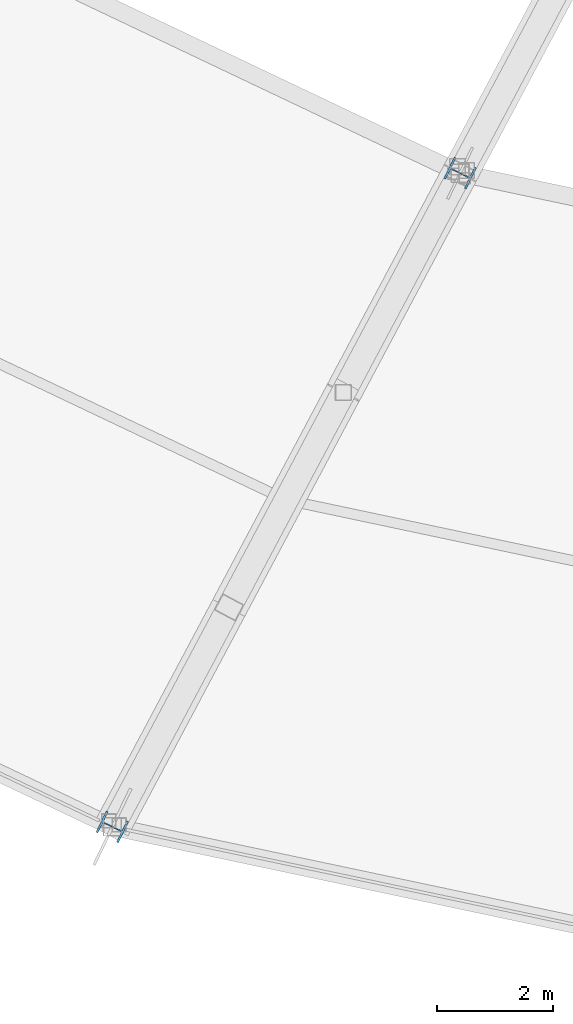
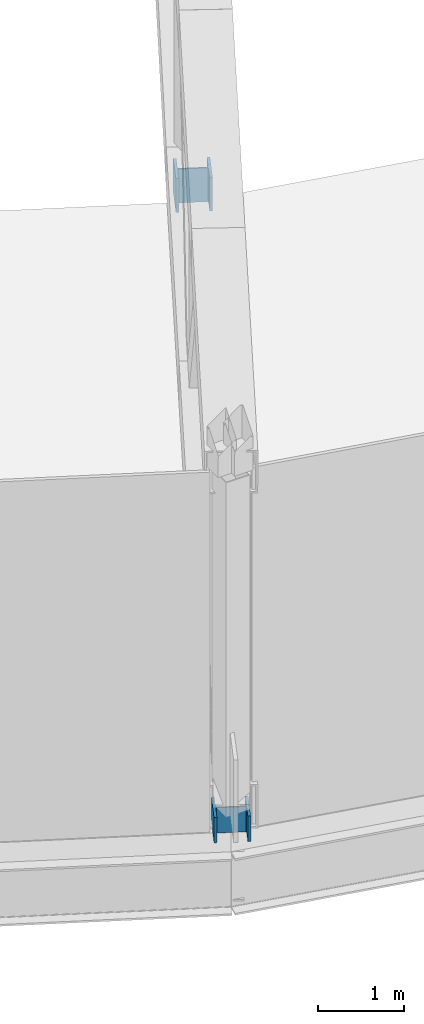
# One storey, part 5 of 162: 2 columns.
"""IFC4 building model written with IfcOpenShell, lengths in metres."""

import ifcopenshell
import ifcopenshell.guid

model = None  # the IFC model being written
_history = None  # IfcOwnerHistory: only IFC2X3 demands one
_inside = {}  # id of a spatial element -> (the spatial element, [elements in it])
_under = {}  # id of a project, library or spatial element -> (it, [spatial elements below it])
_declared = {}  # id of a project -> (the project, [libraries it declares])
_typed = {}  # id of a type object -> (the type object, [elements of that type])
_made_of = {}  # id of a material, layer set ... -> (it, [elements and type objects made of it])


def new_model(schema):
    """Start an empty IFC model of exactly this schema.

    Asked for "IFC4X3", IfcOpenShell would pick the latest addendum, in which some entities
    have other attributes; the version numbers below select the first issue.
    IFC2X3 requires an IfcOwnerHistory on every rooted entity: one is made here for all.
    """
    global model, _history
    if schema == "IFC4X3":
        model = ifcopenshell.file(schema_version=(4, 3, 0, 0))
    else:
        model = ifcopenshell.file(schema=schema)
    _inside.clear()
    _under.clear()
    _declared.clear()
    _typed.clear()
    _made_of.clear()
    _history = None
    if model.schema == "IFC2X3":
        org = make("IfcOrganization", Name="unknown")
        user = make(
            "IfcPersonAndOrganization",
            ThePerson=make("IfcPerson", FamilyName="unknown"),
            TheOrganization=org,
        )
        app = make(
            "IfcApplication",
            ApplicationDeveloper=org,
            Version="unknown",
            ApplicationFullName="unknown",
            ApplicationIdentifier="unknown",
        )
        _history = make(
            "IfcOwnerHistory",
            OwningUser=user,
            OwningApplication=app,
            ChangeAction="ADDED",
            CreationDate=0,
        )
    return model


def make(cls, **values):
    """One entity of the class cls with the attributes given. An attribute that is None is left unset."""
    return model.create_entity(
        cls, **{name: value for name, value in values.items() if value is not None}
    )


def rooted(cls, **values):
    """An entity with a GlobalId (a new one), such as an element, a storey or a relation."""
    return make(cls, GlobalId=ifcopenshell.guid.new(), OwnerHistory=_history, **values)


def si_unit(unit_type, name, prefix=None):
    """IfcSIUnit, for example si_unit("LENGTHUNIT", "METRE", prefix="MILLI")."""
    return make("IfcSIUnit", UnitType=unit_type, Prefix=prefix, Name=name)


def assignment(units):
    """IfcUnitAssignment: the units of a project."""
    return None if units is None else make("IfcUnitAssignment", Units=units)


def point(xyz):
    """IfcCartesianPoint."""
    return None if xyz is None else make("IfcCartesianPoint", Coordinates=xyz)


def direction(xyz):
    """IfcDirection."""
    return None if xyz is None else make("IfcDirection", DirectionRatios=xyz)


def frame(location, z_axis=None, x_axis=None):
    """IfcAxis2Placement3D, a coordinate frame: its origin and axes. An axis left out is left unset."""
    return make(
        "IfcAxis2Placement3D",
        Location=point(location),
        Axis=direction(z_axis),
        RefDirection=direction(x_axis),
    )


def frame_2d(location, x_axis=None):
    """IfcAxis2Placement2D, a coordinate frame in the plane: its origin and x axis."""
    return make(
        "IfcAxis2Placement2D", Location=point(location), RefDirection=direction(x_axis)
    )


def origin():
    """The frame at (0, 0, 0) with its axes left unset."""
    return frame((0.0, 0.0, 0.0))


def origin_2d():
    """The frame at (0, 0) in the plane with its x axis left unset."""
    return frame_2d((0.0, 0.0))


def place(relative_to, where):
    """IfcLocalPlacement: puts the frame where relative to a parent placement (None: the world)."""
    return make(
        "IfcLocalPlacement", PlacementRelTo=relative_to, RelativePlacement=where
    )


def context(
    kind, dimensions, precision=None, world=None, true_north=None, identifier=None
):
    """IfcGeometricRepresentationContext, for example the 3D "Model" context."""
    return make(
        "IfcGeometricRepresentationContext",
        ContextIdentifier=identifier,
        ContextType=kind,
        CoordinateSpaceDimension=dimensions,
        Precision=precision,
        WorldCoordinateSystem=world,
        TrueNorth=true_north,
    )


def subcontext(parent, identifier, kind, view, scale=None):
    """IfcGeometricRepresentationSubContext, for example "Body" below "Model"."""
    return make(
        "IfcGeometricRepresentationSubContext",
        ContextIdentifier=identifier,
        ContextType=kind,
        ParentContext=parent,
        TargetScale=scale,
        TargetView=view,
    )


def project(units=None, contexts=None):
    """IfcProject with its units and contexts."""
    return rooted(
        "IfcProject",
        Name="project",
        RepresentationContexts=contexts,
        UnitsInContext=assignment(units),
    )


def spatial(cls, under=None, at=None, **own):
    """A site, building, storey or space (cls), placed at a placement, below another one or the project."""
    s = rooted(cls, ObjectPlacement=at, **own)
    if under is not None:
        _under.setdefault(under.id(), (under, []))[1].append(s)
    return s


def profile(cls, at=None, kind="AREA", **sizes):
    """A parametric profile (cls). Its sizes go by their IFC names, for example OverallWidth=200.0."""
    return make(cls, ProfileType=kind, Position=at, **sizes)


def i_section(**sizes):
    """IfcIShapeProfileDef."""
    return profile("IfcIShapeProfileDef", **sizes)


def extrude(swept, where, along, depth):
    """IfcExtrudedAreaSolid: the profile swept, set in the frame where, extruded along a direction by depth."""
    return make(
        "IfcExtrudedAreaSolid",
        SweptArea=swept,
        Position=where,
        ExtrudedDirection=direction(along),
        Depth=depth,
    )


def shape(context_of_items, identifier, shape_type, items):
    """IfcShapeRepresentation: the items that make up one representation, for example the "Body"."""
    return make(
        "IfcShapeRepresentation",
        ContextOfItems=context_of_items,
        RepresentationIdentifier=identifier,
        RepresentationType=shape_type,
        Items=items,
    )


def material(Name=None, Category=None):
    """IfcMaterial."""
    return make("IfcMaterial", Name=Name, Category=Category)


def material_profile(
    of_material, cross_section, Name=None, Category=None, Priority=None
):
    """IfcMaterialProfile: a cross section and its material."""
    return make(
        "IfcMaterialProfile",
        Name=Name,
        Material=of_material,
        Profile=cross_section,
        Priority=Priority,
        Category=Category,
    )


def profile_set(profiles, Name=None, composite=None):
    """IfcMaterialProfileSet."""
    return make(
        "IfcMaterialProfileSet",
        Name=Name,
        MaterialProfiles=profiles,
        CompositeProfile=composite,
    )


def made_of(thing, what):
    """Note that an element or type object is made of a material, layer set ...; save() writes the relation."""
    if what is not None:
        _made_of.setdefault(what.id(), (what, []))[1].append(thing)
    return thing


def type_object(cls, material=None, **own):
    """A type object (cls), such as IfcWallType, which elements share."""
    return made_of(rooted(cls, **own), material)


def element(
    cls,
    number,
    at=None,
    inside=None,
    cuts=None,
    type_object=None,
    material=None,
    context=None,
    identifier="Body",
    shape_type=None,
    held_by="IfcProductDefinitionShape",
    body=None,
    shapes=None,
    **own,
):
    """One element of the class cls, such as IfcWall. Its Tag is "e" and its number.

    at: its placement. inside: the storey or other place that contains it. cuts: it is an
    opening in that element (IfcRelVoidsElement). A single representation is given by context,
    identifier, shape_type and body (its items); several are given by shapes. held_by: the class
    of the entity that holds the representations. save() writes the other relations.
    """
    e = rooted(cls, Tag="e%d" % number, ObjectPlacement=at, **own)
    if body is not None:
        shapes = [shape(context, identifier, shape_type, body)]
    if shapes is not None:
        e.Representation = make(held_by, Representations=shapes)
    if inside is not None:
        _inside.setdefault(inside.id(), (inside, []))[1].append(e)
    if cuts is not None:
        rooted(
            "IfcRelVoidsElement", RelatingBuildingElement=cuts, RelatedOpeningElement=e
        )
    if type_object is not None:
        _typed.setdefault(type_object.id(), (type_object, []))[1].append(e)
    return made_of(e, material)


def aggregate(whole, parts):
    """IfcRelAggregates: a whole, such as a stair, and the parts it consists of."""
    return rooted("IfcRelAggregates", RelatingObject=whole, RelatedObjects=parts)


def save(model, path):
    """Write the relations noted so far, then the file.

    IfcRelAggregates (storeys below a building ...), IfcRelContainedInSpatialStructure (elements
    in a storey), IfcRelDefinesByType, IfcRelAssociatesMaterial and IfcRelDeclares: one each for
    every whole, place, type object, material and project.
    """
    for whole, parts in _under.values():
        aggregate(whole, parts)
    for where, things in _inside.values():
        rooted(
            "IfcRelContainedInSpatialStructure",
            RelatedElements=things,
            RelatingStructure=where,
        )
    for kind, things in _typed.values():
        rooted("IfcRelDefinesByType", RelatedObjects=things, RelatingType=kind)
    for what, things in _made_of.values():
        rooted("IfcRelAssociatesMaterial", RelatedObjects=things, RelatingMaterial=what)
    for by, libraries in _declared.values():
        rooted("IfcRelDeclares", RelatingContext=by, RelatedDefinitions=libraries)
    model.write(path)


model = new_model("IFC4")

# Units and contexts
model_context = context("Model", 3, precision=1e-05, world=origin(), true_north=direction((0.0, 1.0)))
body_context = subcontext(model_context, "Body", "Model", "MODEL_VIEW")
ifc_project = project(units=[si_unit("LENGTHUNIT", "METRE"), si_unit("AREAUNIT", "SQUARE_METRE"), si_unit("VOLUMEUNIT", "CUBIC_METRE"), si_unit("PLANEANGLEUNIT", "RADIAN"), si_unit("MASSUNIT", "GRAM", prefix="KILO")], contexts=[model_context])

# Site, building, storey
site_placement = place(None, origin())
site = spatial("IfcSite", under=ifc_project, at=site_placement, CompositionType="ELEMENT")
building_placement = place(site_placement, origin())
building = spatial("IfcBuilding", under=site, at=building_placement, Name="Kazemori Nagisa Stadium", CompositionType="ELEMENT")
storey_placement = place(building_placement, frame((0.0, 0.0, 36.719970703125)))
storey = spatial("IfcBuildingStorey", under=building, at=storey_placement, Name="RF", CompositionType="ELEMENT", Elevation=36.719970703125)

# Columns
ifc_material = material(Name="Steel SN490B", Category="steel")
ifc_material_profile = material_profile(ifc_material, i_section(OverallWidth=0.406982421875, OverallDepth=0.427978515625, WebThickness=0.02001953125, FlangeThickness=0.034912109375, FilletRadius=0.012939453125, at=origin_2d()), Name="H-428x407x20x35")
ifc_profile_set = profile_set([ifc_material_profile], Name="Steel SN490B")
column_type = type_object("IfcColumnType", Name="Column_C-H428", PredefinedType="COLUMN", material=ifc_profile_set)
column_1_placement = place(storey_placement, frame((80.1953125, 21.53564453125, 0.0), z_axis=(0.0, 0.0, 1.0), x_axis=(-0.433883739113, -0.900968867905, 0.0)))
element("IfcColumn", 1, at=column_1_placement, inside=storey, type_object=column_type, Name="Roof truss bearing pedestal R3-20", PredefinedType="COLUMN", context=body_context, shape_type="SweptSolid", body=[
    extrude(i_section(OverallWidth=0.406982421875, OverallDepth=0.427978515625, WebThickness=0.02001953125, FlangeThickness=0.034912109375, FilletRadius=0.012939453125, at=origin_2d()), origin(), (0.0, 0.0, 1.0), 0.360107421875),
])
column_2_placement = place(storey_placement, frame((86.18798828125, 32.80078125, 0.0), z_axis=(0.0, 0.0, 1.0), x_axis=(-0.433883739113, -0.900968867905, 0.0)))
element("IfcColumn", 2, at=column_2_placement, inside=storey, type_object=column_type, Name="Roof truss bearing pedestal R2-20", PredefinedType="COLUMN", context=body_context, shape_type="SweptSolid", body=[
    extrude(i_section(OverallWidth=0.406982421875, OverallDepth=0.427978515625, WebThickness=0.02001953125, FlangeThickness=0.034912109375, FilletRadius=0.012939453125, at=origin_2d()), origin(), (0.0, 0.0, 1.0), 0.47998046875),
])

save(model, "model.ifc")
